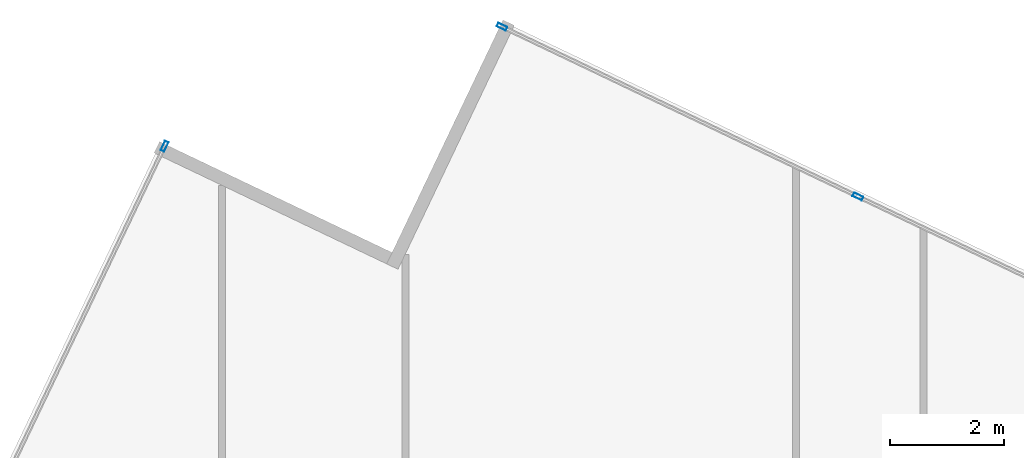
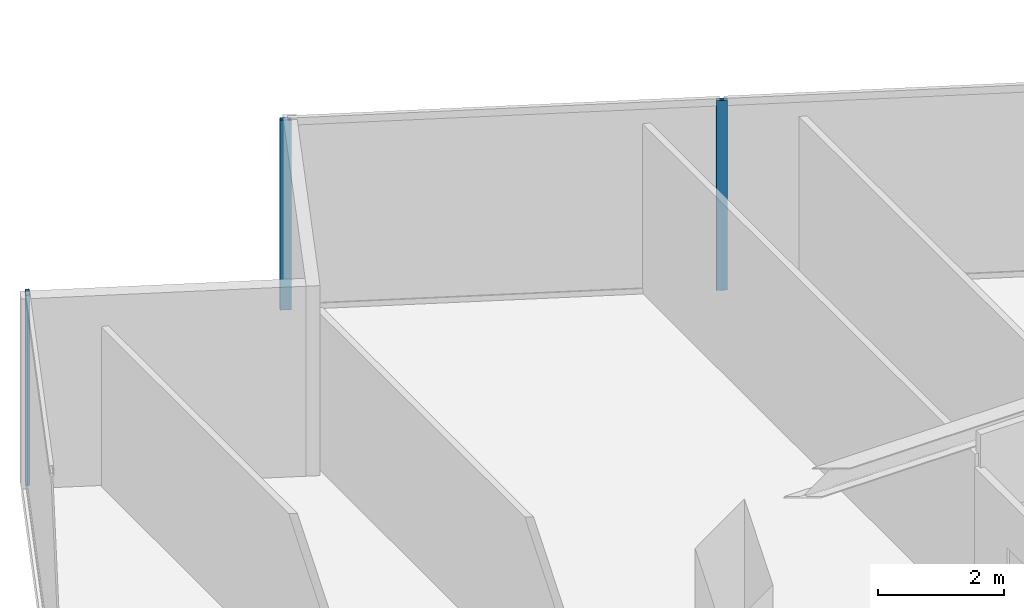
# One storey, part 16 of 25: 3 members, 2 elements without a shape of their own.
"""IFC4 building model written with IfcOpenShell, lengths in metres."""

from ifc_helpers import new_model, si_unit, direction, frame, origin, origin_2d, place, context, subcontext, project, spatial, hollow_rectangle, extrude, source, transform, mapped, material, material_profile, profile_set, type_object, type_shapes, element, aggregate, save


model = new_model("IFC4")

# Units and contexts
model_context = context("Model", 3, precision=1e-05, world=origin(), true_north=direction((0.0, 1.0)))
body_context = subcontext(model_context, "Body", "Model", "MODEL_VIEW")
ifc_project = project(units=[si_unit("LENGTHUNIT", "METRE"), si_unit("AREAUNIT", "SQUARE_METRE"), si_unit("VOLUMEUNIT", "CUBIC_METRE"), si_unit("PLANEANGLEUNIT", "RADIAN"), si_unit("MASSUNIT", "GRAM", prefix="KILO")], contexts=[model_context])

# Site, building, storey
site_placement = place(None, origin())
site = spatial("IfcSite", under=ifc_project, at=site_placement, CompositionType="ELEMENT")
building_placement = place(site_placement, origin())
building = spatial("IfcBuilding", under=site, at=building_placement, Name="Krantzveldt Concourse Tower", CompositionType="ELEMENT")
storey_placement = place(building_placement, frame((0.0, 0.0, 146.199951171875)))
storey = spatial("IfcBuildingStorey", under=building, at=storey_placement, Name="L35", CompositionType="ELEMENT", Elevation=146.199951171875)

# Curtain wall, member
ifc_material = material(Name="Anodised aluminium 6063-T6", Category="aluminium")
curtain_wall_type = type_object("IfcCurtainWallType", Name="CW3", PredefinedType="USERDEFINED", material=ifc_material)
curtain_wall_1_placement = place(storey_placement, origin())
curtain_wall_1 = element("IfcCurtainWall", 1, at=curtain_wall_1_placement, inside=storey, type_object=curtain_wall_type, Name="CW-L35-F01", ObjectType="UNITISED CURTAIN WALL", PredefinedType="USERDEFINED")
ifc_material_profile = material_profile(ifc_material, hollow_rectangle(XDim=0.070068359375, YDim=0.179931640625, WallThickness=0.0048828125, at=origin_2d()), Name="Anodised aluminium 6063-T6", Category="aluminium")
ifc_profile_set = profile_set([ifc_material_profile], Name="Anodised aluminium 6063-T6 - ALU-MULL 180x70x5")
member_type = type_object("IfcMemberType", Name="CW-MUL-180", PredefinedType="MULLION", material=ifc_profile_set)
shared_shape = source(origin(), body_context, "Body", "SweptSolid", [
    extrude(hollow_rectangle(XDim=0.070068359375, YDim=0.179931640625, WallThickness=0.0048828125, at=origin_2d()), origin(), (0.0, 0.0, 1.0), 3.670166015625),
])
type_shapes(member_type, [shared_shape])
member_1_placement = place(storey_placement, frame((23.79052734375, 51.762939453125, 0.0), z_axis=(0.0, 0.0, 1.0), x_axis=(0.902585252784, -0.430511162987, 0.0)))
member_1 = element("IfcMember", 2, at=member_1_placement, type_object=member_type, Name="CW-Z34 mullion 1", PredefinedType="MULLION", context=body_context, shape_type="MappedRepresentation", body=[
    mapped(shared_shape, transform((0.0, 0.0, 0.0), x_axis=(1.0, 0.0, 0.0), y_axis=(0.0, 1.0, 0.0), z_axis=(0.0, 0.0, 1.0), scale=1.0)),
])
aggregate(curtain_wall_1, [member_1])

# Curtain wall, members
curtain_wall_2_placement = place(storey_placement, origin())
curtain_wall_2 = element("IfcCurtainWall", 3, at=curtain_wall_2_placement, inside=storey, type_object=curtain_wall_type, Name="CW-L35-F10", ObjectType="UNITISED CURTAIN WALL", PredefinedType="USERDEFINED")
member_2_placement = place(storey_placement, frame((35.966552734375, 50.8798828125, 0.0), z_axis=(0.0, 0.0, 1.0), x_axis=(-0.430511162987, -0.902585252784, 0.0)))
member_2 = element("IfcMember", 4, at=member_2_placement, type_object=member_type, Name="CW-Z34 mullion 5", PredefinedType="MULLION", context=body_context, shape_type="MappedRepresentation", body=[
    mapped(shared_shape, transform((0.0, 0.0, 0.0), x_axis=(1.0, 0.0, 0.0), y_axis=(0.0, 1.0, 0.0), z_axis=(0.0, 0.0, 1.0), scale=1.0)),
])
member_3_placement = place(storey_placement, frame((29.716064453125, 53.861328125, 0.0), z_axis=(0.0, 0.0, 1.0), x_axis=(-0.430511162987, -0.902585252784, 0.0)))
member_3 = element("IfcMember", 5, at=member_3_placement, type_object=member_type, Name="CW-Z34 mullion 6", PredefinedType="MULLION", context=body_context, shape_type="MappedRepresentation", body=[
    mapped(shared_shape, transform((0.0, 0.0, 0.0), x_axis=(1.0, 0.0, 0.0), y_axis=(0.0, 1.0, 0.0), z_axis=(0.0, 0.0, 1.0), scale=1.0)),
])
aggregate(curtain_wall_2, [member_2, member_3])

save(model, "model.ifc")
